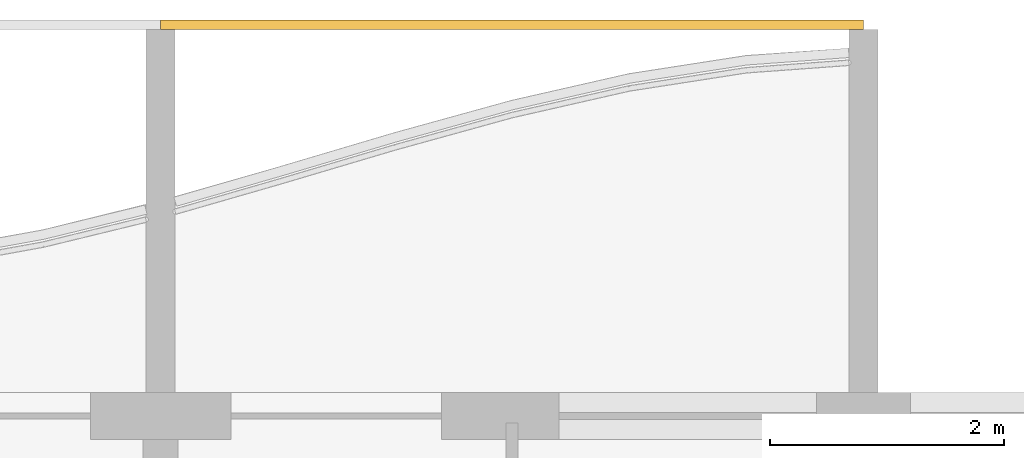
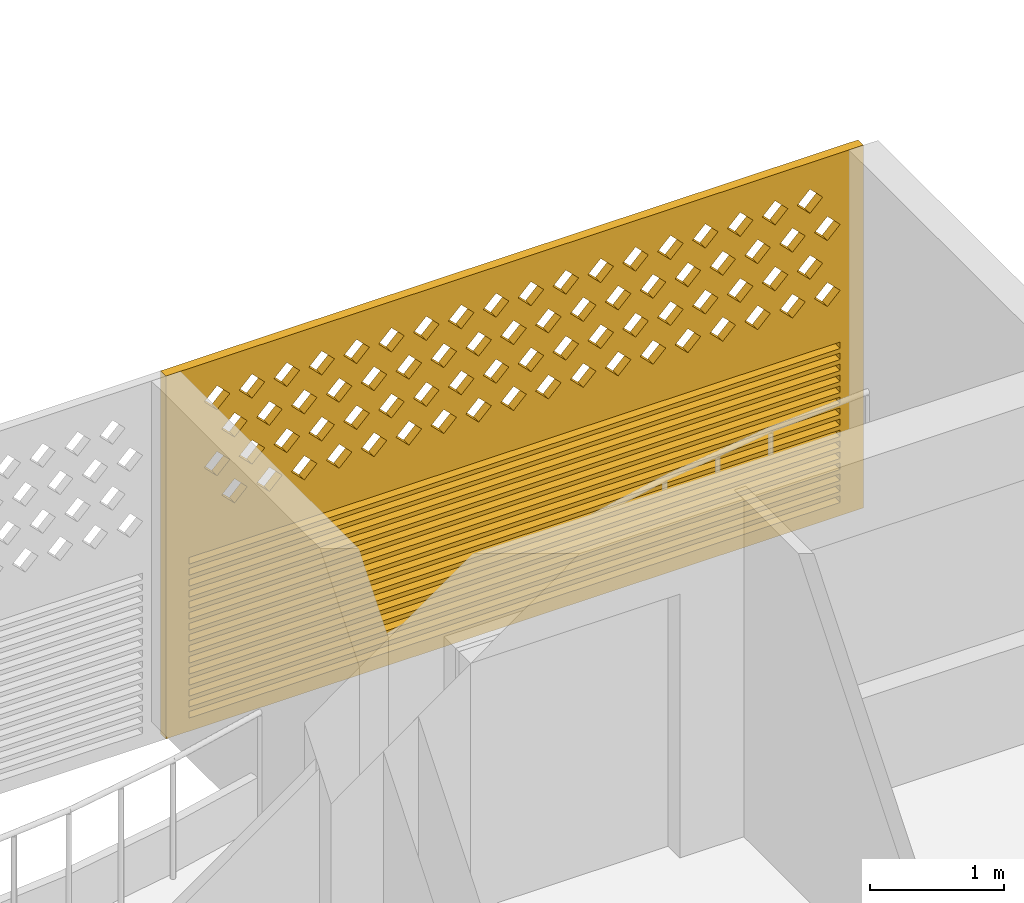
# One storey, part 25 of 33: 1 covering.
"""IFC4 building model written with IfcOpenShell, lengths in metres."""

from ifc_helpers import new_model, si_unit, direction, frame, origin, place, context, subcontext, project, spatial, polyline, outline, extrude, source, transform, mapped, material, material_profile, profile_set, type_object, element, save


model = new_model("IFC4")

# Units and contexts
model_context = context("Model", 3, precision=1e-05, world=origin(), true_north=direction((0.0, 1.0)))
body_context = subcontext(model_context, "Body", "Model", "MODEL_VIEW")
ifc_project = project(units=[si_unit("LENGTHUNIT", "METRE"), si_unit("AREAUNIT", "SQUARE_METRE"), si_unit("VOLUMEUNIT", "CUBIC_METRE"), si_unit("PLANEANGLEUNIT", "RADIAN"), si_unit("MASSUNIT", "GRAM", prefix="KILO")], contexts=[model_context])

# Site, building, storey
site_placement = place(None, origin())
site = spatial("IfcSite", under=ifc_project, at=site_placement, CompositionType="ELEMENT")
building_placement = place(site_placement, origin())
building = spatial("IfcBuilding", under=site, at=building_placement, Name="Poui Terraces", CompositionType="ELEMENT")
storey_placement = place(building_placement, frame((0.0, 0.0, 135.60009765625)))
storey = spatial("IfcBuildingStorey", under=building, at=storey_placement, Name="L37", CompositionType="ELEMENT", Elevation=135.60009765625)

# Covering
ifc_material = material(Name="Terracotta screen", Category="masonry")
ifc_material_profile = material_profile(ifc_material, outline(polyline([(-3.0, -1.64990234375), (3.0, -1.64990234375), (3.0, 1.64990234375), (-3.0, 1.64990234375), (-3.0, -1.64990234375)]), holes=[polyline([(-2.800048828125, 0.39990234375), (-2.68994140625, 0.2900390625), (-2.580078125, 0.39990234375), (-2.68994140625, 0.510009765625), (-2.800048828125, 0.39990234375)]), polyline([(-2.5, 0.39990234375), (-2.389892578125, 0.2900390625), (-2.280029296875, 0.39990234375), (-2.389892578125, 0.510009765625), (-2.5, 0.39990234375)]), polyline([(-2.199951171875, 0.39990234375), (-2.090087890625, 0.2900390625), (-1.97998046875, 0.39990234375), (-2.090087890625, 0.510009765625), (-2.199951171875, 0.39990234375)]), polyline([(-1.89990234375, 0.39990234375), (-1.7900390625, 0.2900390625), (-1.679931640625, 0.39990234375), (-1.7900390625, 0.510009765625), (-1.89990234375, 0.39990234375)]), polyline([(-1.60009765625, 0.39990234375), (-1.489990234375, 0.2900390625), (-1.3798828125, 0.39990234375), (-1.489990234375, 0.510009765625), (-1.60009765625, 0.39990234375)]), polyline([(-1.300048828125, 0.39990234375), (-1.18994140625, 0.2900390625), (-1.080078125, 0.39990234375), (-1.18994140625, 0.510009765625), (-1.300048828125, 0.39990234375)]), polyline([(-1.0, 0.39990234375), (-0.889892578125, 0.2900390625), (-0.780029296875, 0.39990234375), (-0.889892578125, 0.510009765625), (-1.0, 0.39990234375)]), polyline([(-0.699951171875, 0.39990234375), (-0.590087890625, 0.2900390625), (-0.47998046875, 0.39990234375), (-0.590087890625, 0.510009765625), (-0.699951171875, 0.39990234375)]), polyline([(-0.39990234375, 0.39990234375), (-0.2900390625, 0.2900390625), (-0.179931640625, 0.39990234375), (-0.2900390625, 0.510009765625), (-0.39990234375, 0.39990234375)]), polyline([(-0.10009765625, 0.39990234375), (0.010009765625, 0.2900390625), (0.1201171875, 0.39990234375), (0.010009765625, 0.510009765625), (-0.10009765625, 0.39990234375)]), polyline([(0.199951171875, 0.39990234375), (0.31005859375, 0.2900390625), (0.419921875, 0.39990234375), (0.31005859375, 0.510009765625), (0.199951171875, 0.39990234375)]), polyline([(0.5, 0.39990234375), (0.610107421875, 0.2900390625), (0.719970703125, 0.39990234375), (0.610107421875, 0.510009765625), (0.5, 0.39990234375)]), polyline([(0.800048828125, 0.39990234375), (0.909912109375, 0.2900390625), (1.02001953125, 0.39990234375), (0.909912109375, 0.510009765625), (0.800048828125, 0.39990234375)]), polyline([(1.10009765625, 0.39990234375), (1.2099609375, 0.2900390625), (1.320068359375, 0.39990234375), (1.2099609375, 0.510009765625), (1.10009765625, 0.39990234375)]), polyline([(1.39990234375, 0.39990234375), (1.510009765625, 0.2900390625), (1.6201171875, 0.39990234375), (1.510009765625, 0.510009765625), (1.39990234375, 0.39990234375)]), polyline([(1.699951171875, 0.39990234375), (1.81005859375, 0.2900390625), (1.919921875, 0.39990234375), (1.81005859375, 0.510009765625), (1.699951171875, 0.39990234375)]), polyline([(2.0, 0.39990234375), (2.110107421875, 0.2900390625), (2.219970703125, 0.39990234375), (2.110107421875, 0.510009765625), (2.0, 0.39990234375)]), polyline([(2.300048828125, 0.39990234375), (2.409912109375, 0.2900390625), (2.52001953125, 0.39990234375), (2.409912109375, 0.510009765625), (2.300048828125, 0.39990234375)]), polyline([(-2.64990234375, 0.699951171875), (-2.5400390625, 0.590087890625), (-2.429931640625, 0.699951171875), (-2.5400390625, 0.81005859375), (-2.64990234375, 0.699951171875)]), polyline([(-2.35009765625, 0.699951171875), (-2.239990234375, 0.590087890625), (-2.1298828125, 0.699951171875), (-2.239990234375, 0.81005859375), (-2.35009765625, 0.699951171875)]), polyline([(-2.050048828125, 0.699951171875), (-1.93994140625, 0.590087890625), (-1.830078125, 0.699951171875), (-1.93994140625, 0.81005859375), (-2.050048828125, 0.699951171875)]), polyline([(-1.75, 0.699951171875), (-1.639892578125, 0.590087890625), (-1.530029296875, 0.699951171875), (-1.639892578125, 0.81005859375), (-1.75, 0.699951171875)]), polyline([(-1.449951171875, 0.699951171875), (-1.340087890625, 0.590087890625), (-1.22998046875, 0.699951171875), (-1.340087890625, 0.81005859375), (-1.449951171875, 0.699951171875)]), polyline([(-1.14990234375, 0.699951171875), (-1.0400390625, 0.590087890625), (-0.929931640625, 0.699951171875), (-1.0400390625, 0.81005859375), (-1.14990234375, 0.699951171875)]), polyline([(-0.85009765625, 0.699951171875), (-0.739990234375, 0.590087890625), (-0.6298828125, 0.699951171875), (-0.739990234375, 0.81005859375), (-0.85009765625, 0.699951171875)]), polyline([(-0.550048828125, 0.699951171875), (-0.43994140625, 0.590087890625), (-0.330078125, 0.699951171875), (-0.43994140625, 0.81005859375), (-0.550048828125, 0.699951171875)]), polyline([(-0.25, 0.699951171875), (-0.139892578125, 0.590087890625), (-0.030029296875, 0.699951171875), (-0.139892578125, 0.81005859375), (-0.25, 0.699951171875)]), polyline([(0.050048828125, 0.699951171875), (0.159912109375, 0.590087890625), (0.27001953125, 0.699951171875), (0.159912109375, 0.81005859375), (0.050048828125, 0.699951171875)]), polyline([(0.35009765625, 0.699951171875), (0.4599609375, 0.590087890625), (0.570068359375, 0.699951171875), (0.4599609375, 0.81005859375), (0.35009765625, 0.699951171875)]), polyline([(0.64990234375, 0.699951171875), (0.760009765625, 0.590087890625), (0.8701171875, 0.699951171875), (0.760009765625, 0.81005859375), (0.64990234375, 0.699951171875)]), polyline([(0.949951171875, 0.699951171875), (1.06005859375, 0.590087890625), (1.169921875, 0.699951171875), (1.06005859375, 0.81005859375), (0.949951171875, 0.699951171875)]), polyline([(1.25, 0.699951171875), (1.360107421875, 0.590087890625), (1.469970703125, 0.699951171875), (1.360107421875, 0.81005859375), (1.25, 0.699951171875)]), polyline([(1.550048828125, 0.699951171875), (1.659912109375, 0.590087890625), (1.77001953125, 0.699951171875), (1.659912109375, 0.81005859375), (1.550048828125, 0.699951171875)]), polyline([(1.85009765625, 0.699951171875), (1.9599609375, 0.590087890625), (2.070068359375, 0.699951171875), (1.9599609375, 0.81005859375), (1.85009765625, 0.699951171875)]), polyline([(2.14990234375, 0.699951171875), (2.260009765625, 0.590087890625), (2.3701171875, 0.699951171875), (2.260009765625, 0.81005859375), (2.14990234375, 0.699951171875)]), polyline([(2.449951171875, 0.699951171875), (2.56005859375, 0.590087890625), (2.669921875, 0.699951171875), (2.56005859375, 0.81005859375), (2.449951171875, 0.699951171875)]), polyline([(-2.800048828125, 1.0), (-2.68994140625, 0.889892578125), (-2.580078125, 1.0), (-2.68994140625, 1.110107421875), (-2.800048828125, 1.0)]), polyline([(-2.5, 1.0), (-2.389892578125, 0.889892578125), (-2.280029296875, 1.0), (-2.389892578125, 1.110107421875), (-2.5, 1.0)]), polyline([(-2.199951171875, 1.0), (-2.090087890625, 0.889892578125), (-1.97998046875, 1.0), (-2.090087890625, 1.110107421875), (-2.199951171875, 1.0)]), polyline([(-1.89990234375, 1.0), (-1.7900390625, 0.889892578125), (-1.679931640625, 1.0), (-1.7900390625, 1.110107421875), (-1.89990234375, 1.0)]), polyline([(-1.60009765625, 1.0), (-1.489990234375, 0.889892578125), (-1.3798828125, 1.0), (-1.489990234375, 1.110107421875), (-1.60009765625, 1.0)]), polyline([(-1.300048828125, 1.0), (-1.18994140625, 0.889892578125), (-1.080078125, 1.0), (-1.18994140625, 1.110107421875), (-1.300048828125, 1.0)]), polyline([(-1.0, 1.0), (-0.889892578125, 0.889892578125), (-0.780029296875, 1.0), (-0.889892578125, 1.110107421875), (-1.0, 1.0)]), polyline([(-0.699951171875, 1.0), (-0.590087890625, 0.889892578125), (-0.47998046875, 1.0), (-0.590087890625, 1.110107421875), (-0.699951171875, 1.0)]), polyline([(-0.39990234375, 1.0), (-0.2900390625, 0.889892578125), (-0.179931640625, 1.0), (-0.2900390625, 1.110107421875), (-0.39990234375, 1.0)]), polyline([(-0.10009765625, 1.0), (0.010009765625, 0.889892578125), (0.1201171875, 1.0), (0.010009765625, 1.110107421875), (-0.10009765625, 1.0)]), polyline([(0.199951171875, 1.0), (0.31005859375, 0.889892578125), (0.419921875, 1.0), (0.31005859375, 1.110107421875), (0.199951171875, 1.0)]), polyline([(0.5, 1.0), (0.610107421875, 0.889892578125), (0.719970703125, 1.0), (0.610107421875, 1.110107421875), (0.5, 1.0)]), polyline([(0.800048828125, 1.0), (0.909912109375, 0.889892578125), (1.02001953125, 1.0), (0.909912109375, 1.110107421875), (0.800048828125, 1.0)]), polyline([(1.10009765625, 1.0), (1.2099609375, 0.889892578125), (1.320068359375, 1.0), (1.2099609375, 1.110107421875), (1.10009765625, 1.0)]), polyline([(1.39990234375, 1.0), (1.510009765625, 0.889892578125), (1.6201171875, 1.0), (1.510009765625, 1.110107421875), (1.39990234375, 1.0)]), polyline([(1.699951171875, 1.0), (1.81005859375, 0.889892578125), (1.919921875, 1.0), (1.81005859375, 1.110107421875), (1.699951171875, 1.0)]), polyline([(2.0, 1.0), (2.110107421875, 0.889892578125), (2.219970703125, 1.0), (2.110107421875, 1.110107421875), (2.0, 1.0)]), polyline([(2.300048828125, 1.0), (2.409912109375, 0.889892578125), (2.52001953125, 1.0), (2.409912109375, 1.110107421875), (2.300048828125, 1.0)]), polyline([(-2.64990234375, 1.300048828125), (-2.5400390625, 1.18994140625), (-2.429931640625, 1.300048828125), (-2.5400390625, 1.409912109375), (-2.64990234375, 1.300048828125)]), polyline([(-2.35009765625, 1.300048828125), (-2.239990234375, 1.18994140625), (-2.1298828125, 1.300048828125), (-2.239990234375, 1.409912109375), (-2.35009765625, 1.300048828125)]), polyline([(-2.050048828125, 1.300048828125), (-1.93994140625, 1.18994140625), (-1.830078125, 1.300048828125), (-1.93994140625, 1.409912109375), (-2.050048828125, 1.300048828125)]), polyline([(-1.75, 1.300048828125), (-1.639892578125, 1.18994140625), (-1.530029296875, 1.300048828125), (-1.639892578125, 1.409912109375), (-1.75, 1.300048828125)]), polyline([(-1.449951171875, 1.300048828125), (-1.340087890625, 1.18994140625), (-1.22998046875, 1.300048828125), (-1.340087890625, 1.409912109375), (-1.449951171875, 1.300048828125)]), polyline([(-1.14990234375, 1.300048828125), (-1.0400390625, 1.18994140625), (-0.929931640625, 1.300048828125), (-1.0400390625, 1.409912109375), (-1.14990234375, 1.300048828125)]), polyline([(-0.85009765625, 1.300048828125), (-0.739990234375, 1.18994140625), (-0.6298828125, 1.300048828125), (-0.739990234375, 1.409912109375), (-0.85009765625, 1.300048828125)]), polyline([(-0.550048828125, 1.300048828125), (-0.43994140625, 1.18994140625), (-0.330078125, 1.300048828125), (-0.43994140625, 1.409912109375), (-0.550048828125, 1.300048828125)]), polyline([(-0.25, 1.300048828125), (-0.139892578125, 1.18994140625), (-0.030029296875, 1.300048828125), (-0.139892578125, 1.409912109375), (-0.25, 1.300048828125)]), polyline([(0.050048828125, 1.300048828125), (0.159912109375, 1.18994140625), (0.27001953125, 1.300048828125), (0.159912109375, 1.409912109375), (0.050048828125, 1.300048828125)]), polyline([(0.35009765625, 1.300048828125), (0.4599609375, 1.18994140625), (0.570068359375, 1.300048828125), (0.4599609375, 1.409912109375), (0.35009765625, 1.300048828125)]), polyline([(0.64990234375, 1.300048828125), (0.760009765625, 1.18994140625), (0.8701171875, 1.300048828125), (0.760009765625, 1.409912109375), (0.64990234375, 1.300048828125)]), polyline([(0.949951171875, 1.300048828125), (1.06005859375, 1.18994140625), (1.169921875, 1.300048828125), (1.06005859375, 1.409912109375), (0.949951171875, 1.300048828125)]), polyline([(1.25, 1.300048828125), (1.360107421875, 1.18994140625), (1.469970703125, 1.300048828125), (1.360107421875, 1.409912109375), (1.25, 1.300048828125)]), polyline([(1.550048828125, 1.300048828125), (1.659912109375, 1.18994140625), (1.77001953125, 1.300048828125), (1.659912109375, 1.409912109375), (1.550048828125, 1.300048828125)]), polyline([(1.85009765625, 1.300048828125), (1.9599609375, 1.18994140625), (2.070068359375, 1.300048828125), (1.9599609375, 1.409912109375), (1.85009765625, 1.300048828125)]), polyline([(2.14990234375, 1.300048828125), (2.260009765625, 1.18994140625), (2.3701171875, 1.300048828125), (2.260009765625, 1.409912109375), (2.14990234375, 1.300048828125)]), polyline([(2.449951171875, 1.300048828125), (2.56005859375, 1.18994140625), (2.669921875, 1.300048828125), (2.56005859375, 1.409912109375), (2.449951171875, 1.300048828125)]), polyline([(-2.800048828125, -1.530029296875), (2.800048828125, -1.530029296875), (2.800048828125, -1.469970703125), (-2.800048828125, -1.469970703125), (-2.800048828125, -1.530029296875)]), polyline([(-2.800048828125, -1.429931640625), (2.800048828125, -1.429931640625), (2.800048828125, -1.3701171875), (-2.800048828125, -1.3701171875), (-2.800048828125, -1.429931640625)]), polyline([(-2.800048828125, -1.330078125), (2.800048828125, -1.330078125), (2.800048828125, -1.27001953125), (-2.800048828125, -1.27001953125), (-2.800048828125, -1.330078125)]), polyline([(-2.800048828125, -1.22998046875), (2.800048828125, -1.22998046875), (2.800048828125, -1.169921875), (-2.800048828125, -1.169921875), (-2.800048828125, -1.22998046875)]), polyline([(-2.800048828125, -1.1298828125), (2.800048828125, -1.1298828125), (2.800048828125, -1.070068359375), (-2.800048828125, -1.070068359375), (-2.800048828125, -1.1298828125)]), polyline([(-2.800048828125, -1.030029296875), (2.800048828125, -1.030029296875), (2.800048828125, -0.969970703125), (-2.800048828125, -0.969970703125), (-2.800048828125, -1.030029296875)]), polyline([(-2.800048828125, -0.929931640625), (2.800048828125, -0.929931640625), (2.800048828125, -0.8701171875), (-2.800048828125, -0.8701171875), (-2.800048828125, -0.929931640625)]), polyline([(-2.800048828125, -0.830078125), (2.800048828125, -0.830078125), (2.800048828125, -0.77001953125), (-2.800048828125, -0.77001953125), (-2.800048828125, -0.830078125)]), polyline([(-2.800048828125, -0.72998046875), (2.800048828125, -0.72998046875), (2.800048828125, -0.669921875), (-2.800048828125, -0.669921875), (-2.800048828125, -0.72998046875)]), polyline([(-2.800048828125, -0.6298828125), (2.800048828125, -0.6298828125), (2.800048828125, -0.570068359375), (-2.800048828125, -0.570068359375), (-2.800048828125, -0.6298828125)]), polyline([(-2.800048828125, -0.530029296875), (2.800048828125, -0.530029296875), (2.800048828125, -0.469970703125), (-2.800048828125, -0.469970703125), (-2.800048828125, -0.530029296875)]), polyline([(-2.800048828125, -0.429931640625), (2.800048828125, -0.429931640625), (2.800048828125, -0.3701171875), (-2.800048828125, -0.3701171875), (-2.800048828125, -0.429931640625)]), polyline([(-2.800048828125, -0.330078125), (2.800048828125, -0.330078125), (2.800048828125, -0.27001953125), (-2.800048828125, -0.27001953125), (-2.800048828125, -0.330078125)]), polyline([(-2.800048828125, -0.22998046875), (2.800048828125, -0.22998046875), (2.800048828125, -0.169921875), (-2.800048828125, -0.169921875), (-2.800048828125, -0.22998046875)]), polyline([(-2.800048828125, -0.1298828125), (2.800048828125, -0.1298828125), (2.800048828125, -0.070068359375), (-2.800048828125, -0.070068359375), (-2.800048828125, -0.1298828125)])]), Name="TERRACOTTA SCREEN AND JALOUSIE LOUVRE 6000X3300")
ifc_profile_set = profile_set([ifc_material_profile], Name="Terracotta screen")
covering_type = type_object("IfcCoveringType", Name="TERRACOTTA SCREEN AND JALOUSIE LOUVRE 6000X3300", PredefinedType="CLADDING", material=ifc_profile_set)
shared_shape = source(origin(), body_context, "Body", "SweptSolid", [
    extrude(outline(polyline([(-3.0, -1.64990234375), (3.0, -1.64990234375), (3.0, 1.64990234375), (-3.0, 1.64990234375), (-3.0, -1.64990234375)]), holes=[polyline([(-2.800048828125, 0.39990234375), (-2.68994140625, 0.2900390625), (-2.580078125, 0.39990234375), (-2.68994140625, 0.510009765625), (-2.800048828125, 0.39990234375)]), polyline([(-2.5, 0.39990234375), (-2.389892578125, 0.2900390625), (-2.280029296875, 0.39990234375), (-2.389892578125, 0.510009765625), (-2.5, 0.39990234375)]), polyline([(-2.199951171875, 0.39990234375), (-2.090087890625, 0.2900390625), (-1.97998046875, 0.39990234375), (-2.090087890625, 0.510009765625), (-2.199951171875, 0.39990234375)]), polyline([(-1.89990234375, 0.39990234375), (-1.7900390625, 0.2900390625), (-1.679931640625, 0.39990234375), (-1.7900390625, 0.510009765625), (-1.89990234375, 0.39990234375)]), polyline([(-1.60009765625, 0.39990234375), (-1.489990234375, 0.2900390625), (-1.3798828125, 0.39990234375), (-1.489990234375, 0.510009765625), (-1.60009765625, 0.39990234375)]), polyline([(-1.300048828125, 0.39990234375), (-1.18994140625, 0.2900390625), (-1.080078125, 0.39990234375), (-1.18994140625, 0.510009765625), (-1.300048828125, 0.39990234375)]), polyline([(-1.0, 0.39990234375), (-0.889892578125, 0.2900390625), (-0.780029296875, 0.39990234375), (-0.889892578125, 0.510009765625), (-1.0, 0.39990234375)]), polyline([(-0.699951171875, 0.39990234375), (-0.590087890625, 0.2900390625), (-0.47998046875, 0.39990234375), (-0.590087890625, 0.510009765625), (-0.699951171875, 0.39990234375)]), polyline([(-0.39990234375, 0.39990234375), (-0.2900390625, 0.2900390625), (-0.179931640625, 0.39990234375), (-0.2900390625, 0.510009765625), (-0.39990234375, 0.39990234375)]), polyline([(-0.10009765625, 0.39990234375), (0.010009765625, 0.2900390625), (0.1201171875, 0.39990234375), (0.010009765625, 0.510009765625), (-0.10009765625, 0.39990234375)]), polyline([(0.199951171875, 0.39990234375), (0.31005859375, 0.2900390625), (0.419921875, 0.39990234375), (0.31005859375, 0.510009765625), (0.199951171875, 0.39990234375)]), polyline([(0.5, 0.39990234375), (0.610107421875, 0.2900390625), (0.719970703125, 0.39990234375), (0.610107421875, 0.510009765625), (0.5, 0.39990234375)]), polyline([(0.800048828125, 0.39990234375), (0.909912109375, 0.2900390625), (1.02001953125, 0.39990234375), (0.909912109375, 0.510009765625), (0.800048828125, 0.39990234375)]), polyline([(1.10009765625, 0.39990234375), (1.2099609375, 0.2900390625), (1.320068359375, 0.39990234375), (1.2099609375, 0.510009765625), (1.10009765625, 0.39990234375)]), polyline([(1.39990234375, 0.39990234375), (1.510009765625, 0.2900390625), (1.6201171875, 0.39990234375), (1.510009765625, 0.510009765625), (1.39990234375, 0.39990234375)]), polyline([(1.699951171875, 0.39990234375), (1.81005859375, 0.2900390625), (1.919921875, 0.39990234375), (1.81005859375, 0.510009765625), (1.699951171875, 0.39990234375)]), polyline([(2.0, 0.39990234375), (2.110107421875, 0.2900390625), (2.219970703125, 0.39990234375), (2.110107421875, 0.510009765625), (2.0, 0.39990234375)]), polyline([(2.300048828125, 0.39990234375), (2.409912109375, 0.2900390625), (2.52001953125, 0.39990234375), (2.409912109375, 0.510009765625), (2.300048828125, 0.39990234375)]), polyline([(-2.64990234375, 0.699951171875), (-2.5400390625, 0.590087890625), (-2.429931640625, 0.699951171875), (-2.5400390625, 0.81005859375), (-2.64990234375, 0.699951171875)]), polyline([(-2.35009765625, 0.699951171875), (-2.239990234375, 0.590087890625), (-2.1298828125, 0.699951171875), (-2.239990234375, 0.81005859375), (-2.35009765625, 0.699951171875)]), polyline([(-2.050048828125, 0.699951171875), (-1.93994140625, 0.590087890625), (-1.830078125, 0.699951171875), (-1.93994140625, 0.81005859375), (-2.050048828125, 0.699951171875)]), polyline([(-1.75, 0.699951171875), (-1.639892578125, 0.590087890625), (-1.530029296875, 0.699951171875), (-1.639892578125, 0.81005859375), (-1.75, 0.699951171875)]), polyline([(-1.449951171875, 0.699951171875), (-1.340087890625, 0.590087890625), (-1.22998046875, 0.699951171875), (-1.340087890625, 0.81005859375), (-1.449951171875, 0.699951171875)]), polyline([(-1.14990234375, 0.699951171875), (-1.0400390625, 0.590087890625), (-0.929931640625, 0.699951171875), (-1.0400390625, 0.81005859375), (-1.14990234375, 0.699951171875)]), polyline([(-0.85009765625, 0.699951171875), (-0.739990234375, 0.590087890625), (-0.6298828125, 0.699951171875), (-0.739990234375, 0.81005859375), (-0.85009765625, 0.699951171875)]), polyline([(-0.550048828125, 0.699951171875), (-0.43994140625, 0.590087890625), (-0.330078125, 0.699951171875), (-0.43994140625, 0.81005859375), (-0.550048828125, 0.699951171875)]), polyline([(-0.25, 0.699951171875), (-0.139892578125, 0.590087890625), (-0.030029296875, 0.699951171875), (-0.139892578125, 0.81005859375), (-0.25, 0.699951171875)]), polyline([(0.050048828125, 0.699951171875), (0.159912109375, 0.590087890625), (0.27001953125, 0.699951171875), (0.159912109375, 0.81005859375), (0.050048828125, 0.699951171875)]), polyline([(0.35009765625, 0.699951171875), (0.4599609375, 0.590087890625), (0.570068359375, 0.699951171875), (0.4599609375, 0.81005859375), (0.35009765625, 0.699951171875)]), polyline([(0.64990234375, 0.699951171875), (0.760009765625, 0.590087890625), (0.8701171875, 0.699951171875), (0.760009765625, 0.81005859375), (0.64990234375, 0.699951171875)]), polyline([(0.949951171875, 0.699951171875), (1.06005859375, 0.590087890625), (1.169921875, 0.699951171875), (1.06005859375, 0.81005859375), (0.949951171875, 0.699951171875)]), polyline([(1.25, 0.699951171875), (1.360107421875, 0.590087890625), (1.469970703125, 0.699951171875), (1.360107421875, 0.81005859375), (1.25, 0.699951171875)]), polyline([(1.550048828125, 0.699951171875), (1.659912109375, 0.590087890625), (1.77001953125, 0.699951171875), (1.659912109375, 0.81005859375), (1.550048828125, 0.699951171875)]), polyline([(1.85009765625, 0.699951171875), (1.9599609375, 0.590087890625), (2.070068359375, 0.699951171875), (1.9599609375, 0.81005859375), (1.85009765625, 0.699951171875)]), polyline([(2.14990234375, 0.699951171875), (2.260009765625, 0.590087890625), (2.3701171875, 0.699951171875), (2.260009765625, 0.81005859375), (2.14990234375, 0.699951171875)]), polyline([(2.449951171875, 0.699951171875), (2.56005859375, 0.590087890625), (2.669921875, 0.699951171875), (2.56005859375, 0.81005859375), (2.449951171875, 0.699951171875)]), polyline([(-2.800048828125, 1.0), (-2.68994140625, 0.889892578125), (-2.580078125, 1.0), (-2.68994140625, 1.110107421875), (-2.800048828125, 1.0)]), polyline([(-2.5, 1.0), (-2.389892578125, 0.889892578125), (-2.280029296875, 1.0), (-2.389892578125, 1.110107421875), (-2.5, 1.0)]), polyline([(-2.199951171875, 1.0), (-2.090087890625, 0.889892578125), (-1.97998046875, 1.0), (-2.090087890625, 1.110107421875), (-2.199951171875, 1.0)]), polyline([(-1.89990234375, 1.0), (-1.7900390625, 0.889892578125), (-1.679931640625, 1.0), (-1.7900390625, 1.110107421875), (-1.89990234375, 1.0)]), polyline([(-1.60009765625, 1.0), (-1.489990234375, 0.889892578125), (-1.3798828125, 1.0), (-1.489990234375, 1.110107421875), (-1.60009765625, 1.0)]), polyline([(-1.300048828125, 1.0), (-1.18994140625, 0.889892578125), (-1.080078125, 1.0), (-1.18994140625, 1.110107421875), (-1.300048828125, 1.0)]), polyline([(-1.0, 1.0), (-0.889892578125, 0.889892578125), (-0.780029296875, 1.0), (-0.889892578125, 1.110107421875), (-1.0, 1.0)]), polyline([(-0.699951171875, 1.0), (-0.590087890625, 0.889892578125), (-0.47998046875, 1.0), (-0.590087890625, 1.110107421875), (-0.699951171875, 1.0)]), polyline([(-0.39990234375, 1.0), (-0.2900390625, 0.889892578125), (-0.179931640625, 1.0), (-0.2900390625, 1.110107421875), (-0.39990234375, 1.0)]), polyline([(-0.10009765625, 1.0), (0.010009765625, 0.889892578125), (0.1201171875, 1.0), (0.010009765625, 1.110107421875), (-0.10009765625, 1.0)]), polyline([(0.199951171875, 1.0), (0.31005859375, 0.889892578125), (0.419921875, 1.0), (0.31005859375, 1.110107421875), (0.199951171875, 1.0)]), polyline([(0.5, 1.0), (0.610107421875, 0.889892578125), (0.719970703125, 1.0), (0.610107421875, 1.110107421875), (0.5, 1.0)]), polyline([(0.800048828125, 1.0), (0.909912109375, 0.889892578125), (1.02001953125, 1.0), (0.909912109375, 1.110107421875), (0.800048828125, 1.0)]), polyline([(1.10009765625, 1.0), (1.2099609375, 0.889892578125), (1.320068359375, 1.0), (1.2099609375, 1.110107421875), (1.10009765625, 1.0)]), polyline([(1.39990234375, 1.0), (1.510009765625, 0.889892578125), (1.6201171875, 1.0), (1.510009765625, 1.110107421875), (1.39990234375, 1.0)]), polyline([(1.699951171875, 1.0), (1.81005859375, 0.889892578125), (1.919921875, 1.0), (1.81005859375, 1.110107421875), (1.699951171875, 1.0)]), polyline([(2.0, 1.0), (2.110107421875, 0.889892578125), (2.219970703125, 1.0), (2.110107421875, 1.110107421875), (2.0, 1.0)]), polyline([(2.300048828125, 1.0), (2.409912109375, 0.889892578125), (2.52001953125, 1.0), (2.409912109375, 1.110107421875), (2.300048828125, 1.0)]), polyline([(-2.64990234375, 1.300048828125), (-2.5400390625, 1.18994140625), (-2.429931640625, 1.300048828125), (-2.5400390625, 1.409912109375), (-2.64990234375, 1.300048828125)]), polyline([(-2.35009765625, 1.300048828125), (-2.239990234375, 1.18994140625), (-2.1298828125, 1.300048828125), (-2.239990234375, 1.409912109375), (-2.35009765625, 1.300048828125)]), polyline([(-2.050048828125, 1.300048828125), (-1.93994140625, 1.18994140625), (-1.830078125, 1.300048828125), (-1.93994140625, 1.409912109375), (-2.050048828125, 1.300048828125)]), polyline([(-1.75, 1.300048828125), (-1.639892578125, 1.18994140625), (-1.530029296875, 1.300048828125), (-1.639892578125, 1.409912109375), (-1.75, 1.300048828125)]), polyline([(-1.449951171875, 1.300048828125), (-1.340087890625, 1.18994140625), (-1.22998046875, 1.300048828125), (-1.340087890625, 1.409912109375), (-1.449951171875, 1.300048828125)]), polyline([(-1.14990234375, 1.300048828125), (-1.0400390625, 1.18994140625), (-0.929931640625, 1.300048828125), (-1.0400390625, 1.409912109375), (-1.14990234375, 1.300048828125)]), polyline([(-0.85009765625, 1.300048828125), (-0.739990234375, 1.18994140625), (-0.6298828125, 1.300048828125), (-0.739990234375, 1.409912109375), (-0.85009765625, 1.300048828125)]), polyline([(-0.550048828125, 1.300048828125), (-0.43994140625, 1.18994140625), (-0.330078125, 1.300048828125), (-0.43994140625, 1.409912109375), (-0.550048828125, 1.300048828125)]), polyline([(-0.25, 1.300048828125), (-0.139892578125, 1.18994140625), (-0.030029296875, 1.300048828125), (-0.139892578125, 1.409912109375), (-0.25, 1.300048828125)]), polyline([(0.050048828125, 1.300048828125), (0.159912109375, 1.18994140625), (0.27001953125, 1.300048828125), (0.159912109375, 1.409912109375), (0.050048828125, 1.300048828125)]), polyline([(0.35009765625, 1.300048828125), (0.4599609375, 1.18994140625), (0.570068359375, 1.300048828125), (0.4599609375, 1.409912109375), (0.35009765625, 1.300048828125)]), polyline([(0.64990234375, 1.300048828125), (0.760009765625, 1.18994140625), (0.8701171875, 1.300048828125), (0.760009765625, 1.409912109375), (0.64990234375, 1.300048828125)]), polyline([(0.949951171875, 1.300048828125), (1.06005859375, 1.18994140625), (1.169921875, 1.300048828125), (1.06005859375, 1.409912109375), (0.949951171875, 1.300048828125)]), polyline([(1.25, 1.300048828125), (1.360107421875, 1.18994140625), (1.469970703125, 1.300048828125), (1.360107421875, 1.409912109375), (1.25, 1.300048828125)]), polyline([(1.550048828125, 1.300048828125), (1.659912109375, 1.18994140625), (1.77001953125, 1.300048828125), (1.659912109375, 1.409912109375), (1.550048828125, 1.300048828125)]), polyline([(1.85009765625, 1.300048828125), (1.9599609375, 1.18994140625), (2.070068359375, 1.300048828125), (1.9599609375, 1.409912109375), (1.85009765625, 1.300048828125)]), polyline([(2.14990234375, 1.300048828125), (2.260009765625, 1.18994140625), (2.3701171875, 1.300048828125), (2.260009765625, 1.409912109375), (2.14990234375, 1.300048828125)]), polyline([(2.449951171875, 1.300048828125), (2.56005859375, 1.18994140625), (2.669921875, 1.300048828125), (2.56005859375, 1.409912109375), (2.449951171875, 1.300048828125)]), polyline([(-2.800048828125, -1.530029296875), (2.800048828125, -1.530029296875), (2.800048828125, -1.469970703125), (-2.800048828125, -1.469970703125), (-2.800048828125, -1.530029296875)]), polyline([(-2.800048828125, -1.429931640625), (2.800048828125, -1.429931640625), (2.800048828125, -1.3701171875), (-2.800048828125, -1.3701171875), (-2.800048828125, -1.429931640625)]), polyline([(-2.800048828125, -1.330078125), (2.800048828125, -1.330078125), (2.800048828125, -1.27001953125), (-2.800048828125, -1.27001953125), (-2.800048828125, -1.330078125)]), polyline([(-2.800048828125, -1.22998046875), (2.800048828125, -1.22998046875), (2.800048828125, -1.169921875), (-2.800048828125, -1.169921875), (-2.800048828125, -1.22998046875)]), polyline([(-2.800048828125, -1.1298828125), (2.800048828125, -1.1298828125), (2.800048828125, -1.070068359375), (-2.800048828125, -1.070068359375), (-2.800048828125, -1.1298828125)]), polyline([(-2.800048828125, -1.030029296875), (2.800048828125, -1.030029296875), (2.800048828125, -0.969970703125), (-2.800048828125, -0.969970703125), (-2.800048828125, -1.030029296875)]), polyline([(-2.800048828125, -0.929931640625), (2.800048828125, -0.929931640625), (2.800048828125, -0.8701171875), (-2.800048828125, -0.8701171875), (-2.800048828125, -0.929931640625)]), polyline([(-2.800048828125, -0.830078125), (2.800048828125, -0.830078125), (2.800048828125, -0.77001953125), (-2.800048828125, -0.77001953125), (-2.800048828125, -0.830078125)]), polyline([(-2.800048828125, -0.72998046875), (2.800048828125, -0.72998046875), (2.800048828125, -0.669921875), (-2.800048828125, -0.669921875), (-2.800048828125, -0.72998046875)]), polyline([(-2.800048828125, -0.6298828125), (2.800048828125, -0.6298828125), (2.800048828125, -0.570068359375), (-2.800048828125, -0.570068359375), (-2.800048828125, -0.6298828125)]), polyline([(-2.800048828125, -0.530029296875), (2.800048828125, -0.530029296875), (2.800048828125, -0.469970703125), (-2.800048828125, -0.469970703125), (-2.800048828125, -0.530029296875)]), polyline([(-2.800048828125, -0.429931640625), (2.800048828125, -0.429931640625), (2.800048828125, -0.3701171875), (-2.800048828125, -0.3701171875), (-2.800048828125, -0.429931640625)]), polyline([(-2.800048828125, -0.330078125), (2.800048828125, -0.330078125), (2.800048828125, -0.27001953125), (-2.800048828125, -0.27001953125), (-2.800048828125, -0.330078125)]), polyline([(-2.800048828125, -0.22998046875), (2.800048828125, -0.22998046875), (2.800048828125, -0.169921875), (-2.800048828125, -0.169921875), (-2.800048828125, -0.22998046875)]), polyline([(-2.800048828125, -0.1298828125), (2.800048828125, -0.1298828125), (2.800048828125, -0.070068359375), (-2.800048828125, -0.070068359375), (-2.800048828125, -0.1298828125)])]), origin(), (0.0, 0.0, 1.0), 0.080078125),
])
covering_placement = place(storey_placement, frame((45.0, 45.699951171875, 1.449951171875), z_axis=(0.0, 1.0, 0.0), x_axis=(-1.0, 0.0, 0.0)))
element("IfcCovering", 1, at=covering_placement, inside=storey, type_object=covering_type, Name="SOLAR SCREEN AND JALOUSIE LOUVRE", PredefinedType="CLADDING", context=body_context, shape_type="MappedRepresentation", body=[
    mapped(shared_shape, transform((0.0, 0.0, 0.0))),
])

save(model, "model.ifc")
